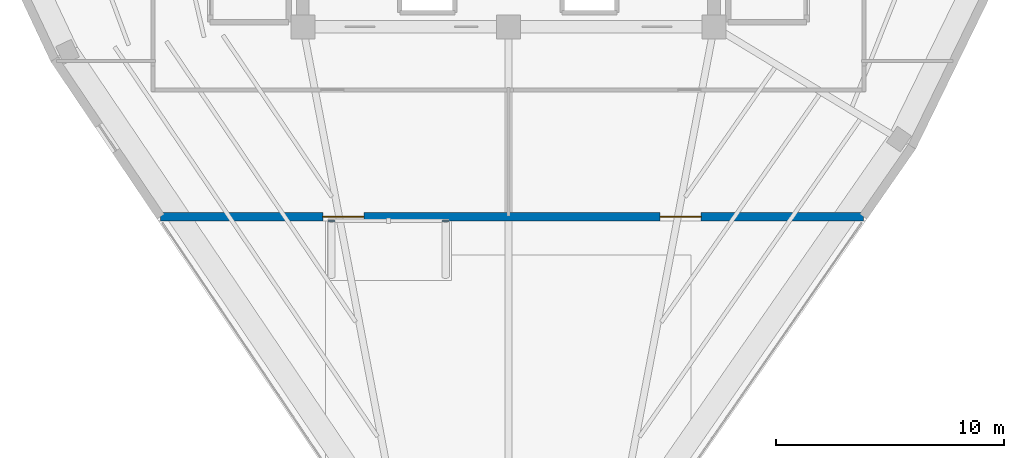
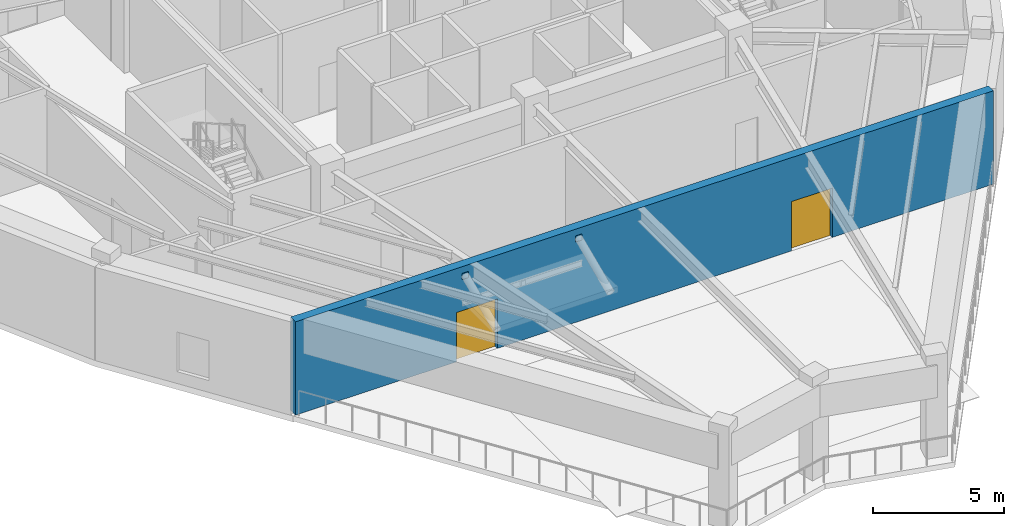
# One storey, part 3 of 12: 2 doors, 2 plates, 1 wall, 2 openings.
"""IFC4 building model written with IfcOpenShell, lengths in metres."""

from ifc_helpers import new_model, si_unit, direction, frame, frame_2d, origin, origin_2d, place, context, subcontext, project, spatial, rectangle, extrude, source, transform, mapped, material, layer, layer_set, type_object, element, fill, save


model = new_model("IFC4")

# Units and contexts
model_context = context("Model", 3, precision=1e-05, world=origin(), true_north=direction((0.0, 1.0)))
body_context = subcontext(model_context, "Body", "Model", "MODEL_VIEW")
ifc_project = project(units=[si_unit("LENGTHUNIT", "METRE"), si_unit("AREAUNIT", "SQUARE_METRE"), si_unit("VOLUMEUNIT", "CUBIC_METRE"), si_unit("PLANEANGLEUNIT", "RADIAN"), si_unit("MASSUNIT", "GRAM", prefix="KILO")], contexts=[model_context])

# Site, building, storey
site_placement = place(None, origin())
site = spatial("IfcSite", under=ifc_project, at=site_placement, CompositionType="ELEMENT")
building_placement = place(site_placement, origin())
building = spatial("IfcBuilding", under=site, at=building_placement, Name="Liaohun Quay Tower", CompositionType="ELEMENT")
storey_placement = place(building_placement, frame((0.0, 0.0, 355.800048828125)))
storey = spatial("IfcBuildingStorey", under=building, at=storey_placement, Name="L92", CompositionType="ELEMENT", Elevation=355.800048828125)

# Plates
ifc_material_1 = material(Name="Steel Q420D outrigger node gusset plate", Category="steel")
ifc_layer_1 = layer(ifc_material_1, 0.0400390625, Name="Steel Q420D outrigger node gusset plate", Category="steel")
ifc_layer_set_1 = layer_set([ifc_layer_1], Name="Steel Q420D outrigger node gusset plate")
plate_type = type_object("IfcPlateType", Name="PLT-GUS-OUT", PredefinedType="USERDEFINED", material=ifc_layer_set_1)
shared_shape_1 = source(origin(), body_context, "Body", "SweptSolid", [
    extrude(rectangle(XDim=0.280029296875, YDim=0.035888671875, at=origin_2d()), origin(), (0.0, 0.0, 1.0), 0.280029296875),
])
for number, where, z_axis, x_axis, name in (
    (1, (52.25, 38.0, 3.759765625), (0.0, 0.0, 1.0), (1.0, 0.0, 0.0), "L92 Lookout Portal Canopy Tie Strut Anchor Gusset Plate 1"),
    (2, (57.25, 38.0, 3.759765625), (0.0, 0.0, 1.0), (1.0, 0.0, 0.0), "L92 Lookout Portal Canopy Tie Strut Anchor Gusset Plate 2"),
):
    element("IfcPlate", number, at=place(storey_placement, frame(where, z_axis=z_axis, x_axis=x_axis)), inside=storey, type_object=plate_type, Name=name, ObjectType="GUSSET PLATE", PredefinedType="USERDEFINED", context=body_context, shape_type="MappedRepresentation", body=[
        mapped(shared_shape_1, transform((0.0, 0.0, 0.0), x_axis=(1.0, 0.0, 0.0), y_axis=(0.0, 1.0, 0.0), z_axis=(0.0, 0.0, 1.0), scale=1.0)),
    ])

# Wall, openings, doors
ifc_material_2 = material(Name="Precast concrete C50 insulated sandwich", Category="concrete")
ifc_layer_2 = layer(ifc_material_2, 0.3798828125, Name="Precast concrete C50 insulated sandwich", Category="concrete")
ifc_layer_set_2 = layer_set([ifc_layer_2], Name="Precast concrete C50 insulated sandwich")
wall_type = type_object("IfcWallType", Name="WAL-EXT-Z34", PredefinedType="SOLIDWALL", material=ifc_layer_set_2)
wall_placement = place(storey_placement, frame((44.76904296875, 38.18994140625, 0.0), z_axis=(0.0, 0.0, 1.0), x_axis=(1.0, 0.0, 0.0)))
wall = element("IfcWall", 3, at=wall_placement, inside=storey, type_object=wall_type, Name="L92 Sky Belvedere Exterior Wall 11", PredefinedType="SOLIDWALL", context=body_context, shape_type="SweptSolid", body=[
    extrude(rectangle(XDim=30.77294921875, YDim=0.3798828125, at=frame_2d((15.386474609375, 0.0))), origin(), (0.0, 0.0, 1.0), 4.349853515625),
])
shared_shape_2 = source(origin(), body_context, "Body", "SweptSolid", [
    extrude(rectangle(XDim=1.800048828125, YDim=2.300048828125, at=frame_2d((0.89990234375, 1.14990234375))), frame((0.0, 0.199951171875, 0.0), z_axis=(0.0, -1.0, 0.0), x_axis=(1.0, 0.0, 0.0)), (0.0, 0.0, 1.0), 0.39990234375),
])
opening_1_placement = place(wall_placement, frame((7.10107421875, 0.0, 0.0)))
opening_1 = element("IfcOpeningElement", 4, at=opening_1_placement, cuts=wall, Name="Opening TD1", PredefinedType="OPENING", context=body_context, shape_type="MappedRepresentation", body=[
    mapped(shared_shape_2, transform((0.0, 0.0, 0.0), x_axis=(1.0, 0.0, 0.0), y_axis=(0.0, 1.0, 0.0), z_axis=(0.0, 0.0, 1.0), scale=1.0)),
])
opening_2_placement = place(wall_placement, frame((21.8720703125, 0.0, 0.0)))
opening_2 = element("IfcOpeningElement", 5, at=opening_2_placement, cuts=wall, Name="Opening TD1", PredefinedType="OPENING", context=body_context, shape_type="MappedRepresentation", body=[
    mapped(shared_shape_2, transform((0.0, 0.0, 0.0), x_axis=(1.0, 0.0, 0.0), y_axis=(0.0, 1.0, 0.0), z_axis=(0.0, 0.0, 1.0), scale=1.0)),
])
ifc_material_3 = material(Name="Thermally broken aluminium and triple glazing", Category="aluminium")
door_type = type_object("IfcDoorType", Name="DOR-TERR-1800", OperationType="DOUBLE_DOOR_SINGLE_SWING", PredefinedType="DOOR", material=ifc_material_3)
shared_shape_3 = source(origin(), body_context, "Body", "SweptSolid", [
    extrude(rectangle(XDim=1.800048828125, YDim=2.300048828125, at=frame_2d((0.89990234375, 1.14990234375))), frame((0.0, 0.02490234375, 0.0), z_axis=(0.0, -1.0, 0.0), x_axis=(1.0, 0.0, 0.0)), (0.0, 0.0, 1.0), 0.050048828125),
])
door_1_placement = place(opening_1_placement, origin())
door_1 = element("IfcDoor", 6, at=door_1_placement, inside=storey, type_object=door_type, Name="L92 Observation Lookout Terrace Door 1", OperationType="DOUBLE_DOOR_SINGLE_SWING", OverallHeight=2.300048828125, OverallWidth=1.800048828125, PredefinedType="DOOR", context=body_context, shape_type="MappedRepresentation", body=[
    mapped(shared_shape_3, transform((0.0, 0.0, 0.0), x_axis=(1.0, 0.0, 0.0), y_axis=(0.0, 1.0, 0.0), z_axis=(0.0, 0.0, 1.0), scale=1.0)),
])
fill(opening_1, door_1)
door_2_placement = place(opening_2_placement, origin())
door_2 = element("IfcDoor", 7, at=door_2_placement, inside=storey, type_object=door_type, Name="L92 Observation Lookout Terrace Door 2", OperationType="DOUBLE_DOOR_SINGLE_SWING", OverallHeight=2.300048828125, OverallWidth=1.800048828125, PredefinedType="DOOR", context=body_context, shape_type="MappedRepresentation", body=[
    mapped(shared_shape_3, transform((0.0, 0.0, 0.0), x_axis=(1.0, 0.0, 0.0), y_axis=(0.0, 1.0, 0.0), z_axis=(0.0, 0.0, 1.0), scale=1.0)),
])
fill(opening_2, door_2)

save(model, "model.ifc")
